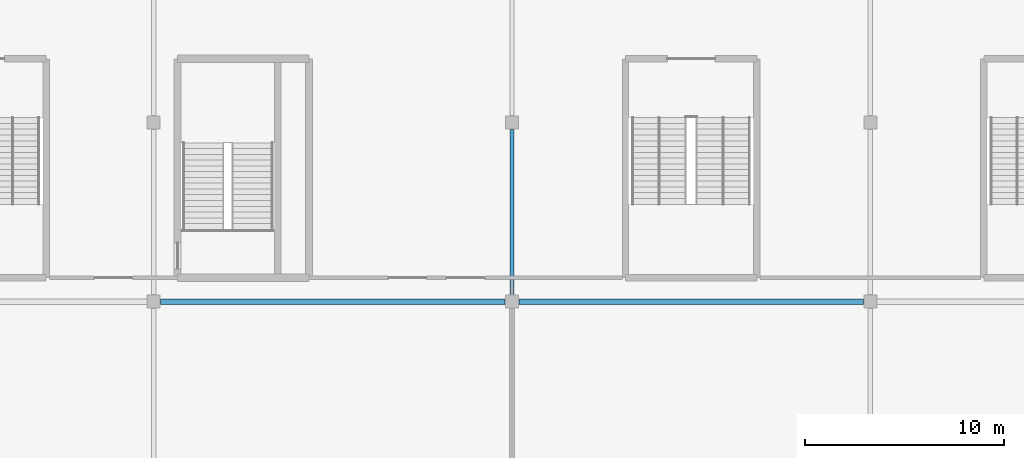
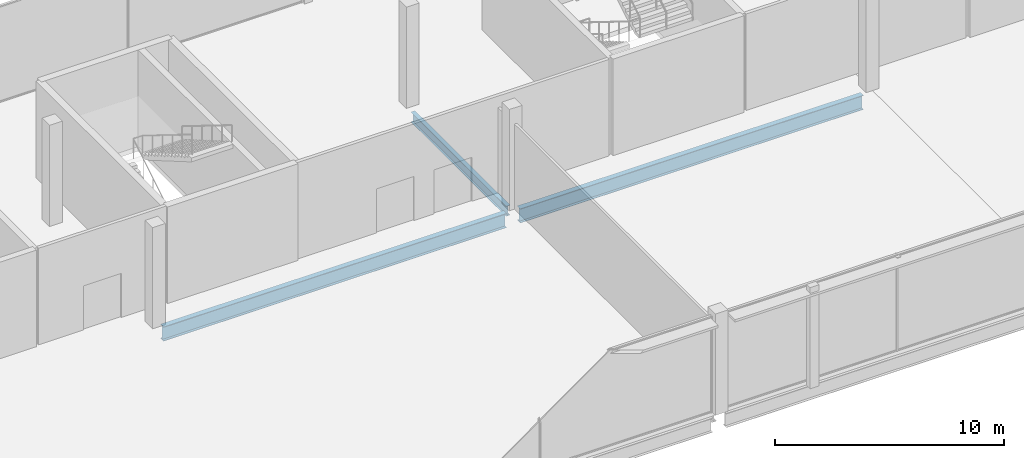
# One storey, part 20 of 113: 3 beams.
"""IFC4 building model written with IfcOpenShell, lengths in metres."""

from ifc_helpers import new_model, si_unit, direction, frame, origin, origin_2d, place, context, subcontext, project, spatial, i_section, extrude, material, material_profile, profile_set, type_object, element, save


model = new_model("IFC4")

# Units and contexts
model_context = context("Model", 3, precision=1e-05, world=origin(), true_north=direction((0.0, 1.0)))
body_context = subcontext(model_context, "Body", "Model", "MODEL_VIEW")
ifc_project = project(units=[si_unit("LENGTHUNIT", "METRE"), si_unit("AREAUNIT", "SQUARE_METRE"), si_unit("VOLUMEUNIT", "CUBIC_METRE"), si_unit("PLANEANGLEUNIT", "RADIAN"), si_unit("MASSUNIT", "GRAM", prefix="KILO")], contexts=[model_context])

# Site, building, storey
site_placement = place(None, origin())
site = spatial("IfcSite", under=ifc_project, at=site_placement, CompositionType="ELEMENT")
building_placement = place(site_placement, origin())
building = spatial("IfcBuilding", under=site, at=building_placement, Name="Kisiwana Market Hall", CompositionType="ELEMENT")
storey_placement = place(building_placement, frame((0.0, 0.0, 6.0)))
storey = spatial("IfcBuildingStorey", under=building, at=storey_placement, Name="L01", CompositionType="ELEMENT", Elevation=6.0)

# Beams
ifc_material_1 = material(Name="Steel S355", Category="steel")
ifc_material_profile_1 = material_profile(ifc_material_1, i_section(OverallWidth=0.209228515625, OverallDepth=0.533203125, WebThickness=0.010009765625, FlangeThickness=0.015625, at=origin_2d()), Name="UB 533x210x92")
ifc_profile_set_1 = profile_set([ifc_material_profile_1], Name="Steel S355")
beam_type_1 = type_object("IfcBeamType", Name="BM-GIRD-UB533", PredefinedType="BEAM", material=ifc_profile_set_1)
beam_placement = place(storey_placement, frame((81.0, 18.345947265625, -0.5166015625), z_axis=(0.0, 1.0, 0.0), x_axis=(-1.0, 0.0, 0.0)))
element("IfcBeam", 1, at=beam_placement, inside=storey, type_object=beam_type_1, Name="Primary girder B-0368", PredefinedType="BEAM", context=body_context, shape_type="SweptSolid", body=[
    extrude(i_section(OverallWidth=0.209228515625, OverallDepth=0.533203125, WebThickness=0.010009765625, FlangeThickness=0.015625, at=origin_2d()), origin(), (0.0, 0.0, 1.0), 8.30810546875),
])
ifc_material_2 = material(Name="Steel S355", Category="steel")
ifc_material_profile_2 = material_profile(ifc_material_2, i_section(OverallWidth=0.2666015625, OverallDepth=0.76220703125, WebThickness=0.014404296875, FlangeThickness=0.021484375, at=origin_2d()), Name="UB 762x267x173")
ifc_profile_set_2 = profile_set([ifc_material_profile_2], Name="Steel S355")
beam_type_2 = type_object("IfcBeamType", Name="BM-GIRD-UB762", PredefinedType="BEAM", material=ifc_profile_set_2)
for number, where, z_axis, x_axis, name in (
    (2, (63.345947265625, 18.0, -0.631103515625), (1.0, 0.0, 0.0), (0.0, 1.0, 0.0), "Floor beam B-0476"),
    (3, (81.345947265625, 18.0, -0.631103515625), (1.0, 0.0, 0.0), (0.0, 1.0, 0.0), "Floor beam B-0477"),
):
    element("IfcBeam", number, at=place(storey_placement, frame(where, z_axis=z_axis, x_axis=x_axis)), inside=storey, type_object=beam_type_2, Name=name, PredefinedType="BEAM", context=body_context, shape_type="SweptSolid", body=[
        extrude(i_section(OverallWidth=0.2666015625, OverallDepth=0.76220703125, WebThickness=0.014404296875, FlangeThickness=0.021484375, at=origin_2d()), origin(), (0.0, 0.0, 1.0), 17.30810546875),
    ])

save(model, "model.ifc")
